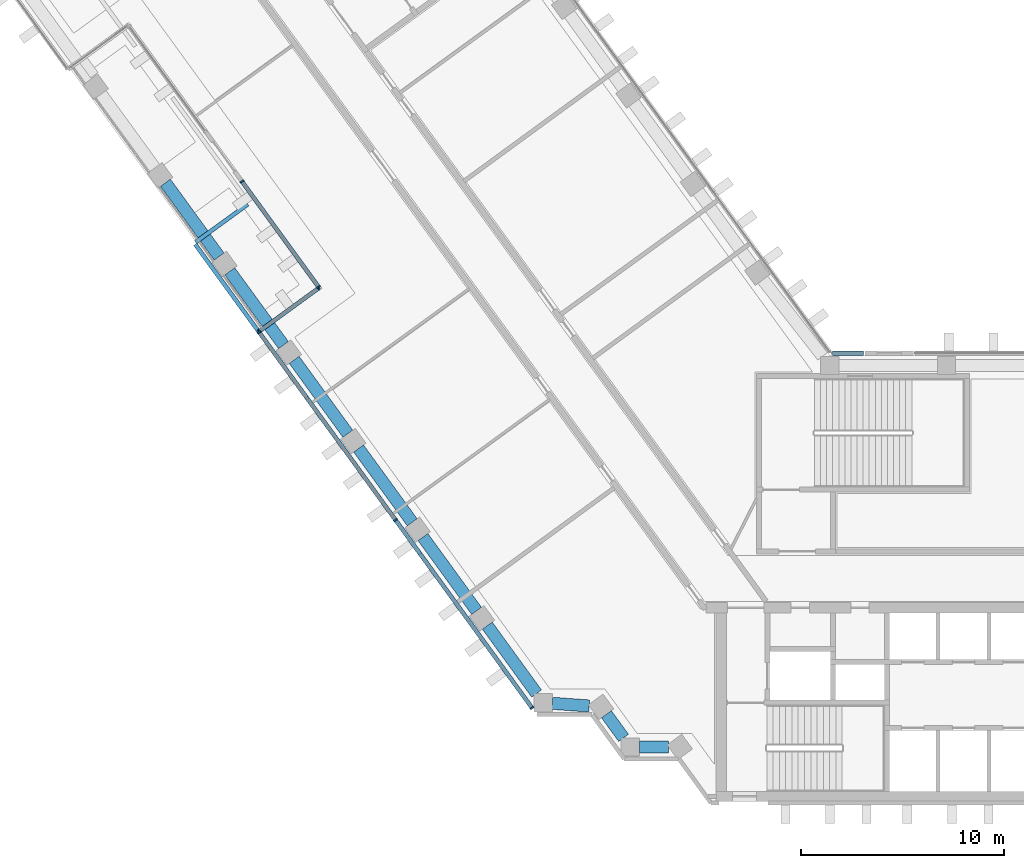
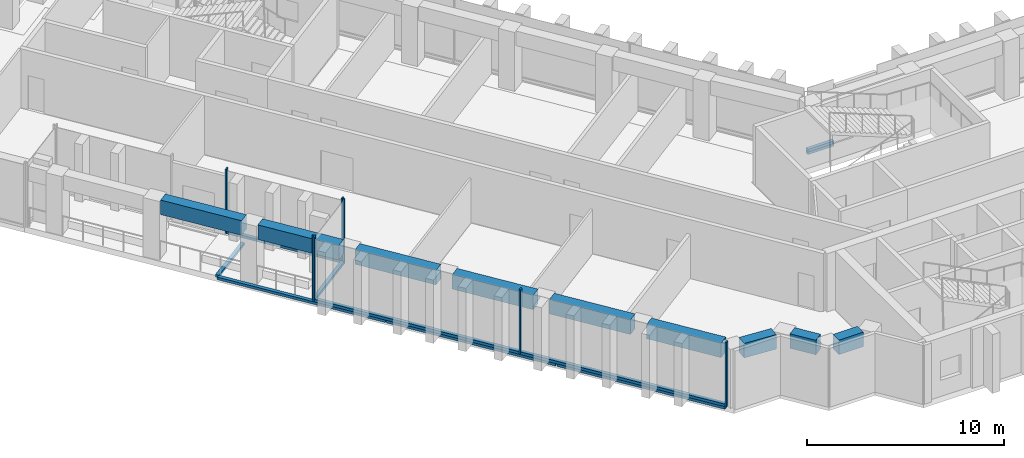
"""IFC4 building model written with IfcOpenShell, lengths in metres."""

import ifcopenshell
import ifcopenshell.guid

model = None  # the IFC model being written
_history = None  # IfcOwnerHistory: only IFC2X3 demands one
_inside = {}  # id of a spatial element -> (the spatial element, [elements in it])
_under = {}  # id of a project, library or spatial element -> (it, [spatial elements below it])
_declared = {}  # id of a project -> (the project, [libraries it declares])
_typed = {}  # id of a type object -> (the type object, [elements of that type])
_made_of = {}  # id of a material, layer set ... -> (it, [elements and type objects made of it])


def new_model(schema):
    """Start an empty IFC model of exactly this schema.

    Asked for "IFC4X3", IfcOpenShell would pick the latest addendum, in which some entities
    have other attributes; the version numbers below select the first issue.
    IFC2X3 requires an IfcOwnerHistory on every rooted entity: one is made here for all.
    """
    global model, _history
    if schema == "IFC4X3":
        model = ifcopenshell.file(schema_version=(4, 3, 0, 0))
    else:
        model = ifcopenshell.file(schema=schema)
    _inside.clear()
    _under.clear()
    _declared.clear()
    _typed.clear()
    _made_of.clear()
    _history = None
    if model.schema == "IFC2X3":
        org = make("IfcOrganization", Name="unknown")
        user = make(
            "IfcPersonAndOrganization",
            ThePerson=make("IfcPerson", FamilyName="unknown"),
            TheOrganization=org,
        )
        app = make(
            "IfcApplication",
            ApplicationDeveloper=org,
            Version="unknown",
            ApplicationFullName="unknown",
            ApplicationIdentifier="unknown",
        )
        _history = make(
            "IfcOwnerHistory",
            OwningUser=user,
            OwningApplication=app,
            ChangeAction="ADDED",
            CreationDate=0,
        )
    return model


def make(cls, **values):
    """One entity of the class cls with the attributes given. An attribute that is None is left unset."""
    return model.create_entity(
        cls, **{name: value for name, value in values.items() if value is not None}
    )


def rooted(cls, **values):
    """An entity with a GlobalId (a new one), such as an element, a storey or a relation."""
    return make(cls, GlobalId=ifcopenshell.guid.new(), OwnerHistory=_history, **values)


def si_unit(unit_type, name, prefix=None):
    """IfcSIUnit, for example si_unit("LENGTHUNIT", "METRE", prefix="MILLI")."""
    return make("IfcSIUnit", UnitType=unit_type, Prefix=prefix, Name=name)


def assignment(units):
    """IfcUnitAssignment: the units of a project."""
    return None if units is None else make("IfcUnitAssignment", Units=units)


def point(xyz):
    """IfcCartesianPoint."""
    return None if xyz is None else make("IfcCartesianPoint", Coordinates=xyz)


def direction(xyz):
    """IfcDirection."""
    return None if xyz is None else make("IfcDirection", DirectionRatios=xyz)


def frame(location, z_axis=None, x_axis=None):
    """IfcAxis2Placement3D, a coordinate frame: its origin and axes. An axis left out is left unset."""
    return make(
        "IfcAxis2Placement3D",
        Location=point(location),
        Axis=direction(z_axis),
        RefDirection=direction(x_axis),
    )


def frame_2d(location, x_axis=None):
    """IfcAxis2Placement2D, a coordinate frame in the plane: its origin and x axis."""
    return make(
        "IfcAxis2Placement2D", Location=point(location), RefDirection=direction(x_axis)
    )


def origin():
    """The frame at (0, 0, 0) with its axes left unset."""
    return frame((0.0, 0.0, 0.0))


def origin_2d():
    """The frame at (0, 0) in the plane with its x axis left unset."""
    return frame_2d((0.0, 0.0))


def place(relative_to, where):
    """IfcLocalPlacement: puts the frame where relative to a parent placement (None: the world)."""
    return make(
        "IfcLocalPlacement", PlacementRelTo=relative_to, RelativePlacement=where
    )


def context(
    kind, dimensions, precision=None, world=None, true_north=None, identifier=None
):
    """IfcGeometricRepresentationContext, for example the 3D "Model" context."""
    return make(
        "IfcGeometricRepresentationContext",
        ContextIdentifier=identifier,
        ContextType=kind,
        CoordinateSpaceDimension=dimensions,
        Precision=precision,
        WorldCoordinateSystem=world,
        TrueNorth=true_north,
    )


def subcontext(parent, identifier, kind, view, scale=None):
    """IfcGeometricRepresentationSubContext, for example "Body" below "Model"."""
    return make(
        "IfcGeometricRepresentationSubContext",
        ContextIdentifier=identifier,
        ContextType=kind,
        ParentContext=parent,
        TargetScale=scale,
        TargetView=view,
    )


def project(units=None, contexts=None):
    """IfcProject with its units and contexts."""
    return rooted(
        "IfcProject",
        Name="project",
        RepresentationContexts=contexts,
        UnitsInContext=assignment(units),
    )


def spatial(cls, under=None, at=None, **own):
    """A site, building, storey or space (cls), placed at a placement, below another one or the project."""
    s = rooted(cls, ObjectPlacement=at, **own)
    if under is not None:
        _under.setdefault(under.id(), (under, []))[1].append(s)
    return s


def profile(cls, at=None, kind="AREA", **sizes):
    """A parametric profile (cls). Its sizes go by their IFC names, for example OverallWidth=200.0."""
    return make(cls, ProfileType=kind, Position=at, **sizes)


def rectangle(**sizes):
    """IfcRectangleProfileDef."""
    return profile("IfcRectangleProfileDef", **sizes)


def extrude(swept, where, along, depth):
    """IfcExtrudedAreaSolid: the profile swept, set in the frame where, extruded along a direction by depth."""
    return make(
        "IfcExtrudedAreaSolid",
        SweptArea=swept,
        Position=where,
        ExtrudedDirection=direction(along),
        Depth=depth,
    )


def shape(context_of_items, identifier, shape_type, items):
    """IfcShapeRepresentation: the items that make up one representation, for example the "Body"."""
    return make(
        "IfcShapeRepresentation",
        ContextOfItems=context_of_items,
        RepresentationIdentifier=identifier,
        RepresentationType=shape_type,
        Items=items,
    )


def material(Name=None, Category=None):
    """IfcMaterial."""
    return make("IfcMaterial", Name=Name, Category=Category)


def material_profile(
    of_material, cross_section, Name=None, Category=None, Priority=None
):
    """IfcMaterialProfile: a cross section and its material."""
    return make(
        "IfcMaterialProfile",
        Name=Name,
        Material=of_material,
        Profile=cross_section,
        Priority=Priority,
        Category=Category,
    )


def profile_set(profiles, Name=None, composite=None):
    """IfcMaterialProfileSet."""
    return make(
        "IfcMaterialProfileSet",
        Name=Name,
        MaterialProfiles=profiles,
        CompositeProfile=composite,
    )


def made_of(thing, what):
    """Note that an element or type object is made of a material, layer set ...; save() writes the relation."""
    if what is not None:
        _made_of.setdefault(what.id(), (what, []))[1].append(thing)
    return thing


def type_object(cls, material=None, **own):
    """A type object (cls), such as IfcWallType, which elements share."""
    return made_of(rooted(cls, **own), material)


def element(
    cls,
    number,
    at=None,
    inside=None,
    cuts=None,
    type_object=None,
    material=None,
    context=None,
    identifier="Body",
    shape_type=None,
    held_by="IfcProductDefinitionShape",
    body=None,
    shapes=None,
    **own,
):
    """One element of the class cls, such as IfcWall. Its Tag is "e" and its number.

    at: its placement. inside: the storey or other place that contains it. cuts: it is an
    opening in that element (IfcRelVoidsElement). A single representation is given by context,
    identifier, shape_type and body (its items); several are given by shapes. held_by: the class
    of the entity that holds the representations. save() writes the other relations.
    """
    e = rooted(cls, Tag="e%d" % number, ObjectPlacement=at, **own)
    if body is not None:
        shapes = [shape(context, identifier, shape_type, body)]
    if shapes is not None:
        e.Representation = make(held_by, Representations=shapes)
    if inside is not None:
        _inside.setdefault(inside.id(), (inside, []))[1].append(e)
    if cuts is not None:
        rooted(
            "IfcRelVoidsElement", RelatingBuildingElement=cuts, RelatedOpeningElement=e
        )
    if type_object is not None:
        _typed.setdefault(type_object.id(), (type_object, []))[1].append(e)
    return made_of(e, material)


def aggregate(whole, parts):
    """IfcRelAggregates: a whole, such as a stair, and the parts it consists of."""
    return rooted("IfcRelAggregates", RelatingObject=whole, RelatedObjects=parts)


def save(model, path):
    """Write the relations noted so far, then the file.

    IfcRelAggregates (storeys below a building ...), IfcRelContainedInSpatialStructure (elements
    in a storey), IfcRelDefinesByType, IfcRelAssociatesMaterial and IfcRelDeclares: one each for
    every whole, place, type object, material and project.
    """
    for whole, parts in _under.values():
        aggregate(whole, parts)
    for where, things in _inside.values():
        rooted(
            "IfcRelContainedInSpatialStructure",
            RelatedElements=things,
            RelatingStructure=where,
        )
    for kind, things in _typed.values():
        rooted("IfcRelDefinesByType", RelatedObjects=things, RelatingType=kind)
    for what, things in _made_of.values():
        rooted("IfcRelAssociatesMaterial", RelatedObjects=things, RelatingMaterial=what)
    for by, libraries in _declared.values():
        rooted("IfcRelDeclares", RelatingContext=by, RelatedDefinitions=libraries)
    model.write(path)


model = new_model("IFC4")

# Units and contexts
model_context = context("Model", 3, precision=1e-05, world=origin(), true_north=direction((0.0, 1.0)))
body_context = subcontext(model_context, "Body", "Model", "MODEL_VIEW")
ifc_project = project(units=[si_unit("LENGTHUNIT", "METRE"), si_unit("AREAUNIT", "SQUARE_METRE"), si_unit("VOLUMEUNIT", "CUBIC_METRE"), si_unit("PLANEANGLEUNIT", "RADIAN"), si_unit("MASSUNIT", "GRAM", prefix="KILO")], contexts=[model_context])

# Site, building, storey
site_placement = place(None, origin())
site = spatial("IfcSite", under=ifc_project, at=site_placement, CompositionType="ELEMENT")
building_placement = place(site_placement, origin())
building = spatial("IfcBuilding", under=site, at=building_placement, Name="Quipu Civic Tower", CompositionType="ELEMENT")
storey_1_placement = place(building_placement, frame((0.0, 0.0, 43.0)))
storey_1 = spatial("IfcBuildingStorey", under=building, at=storey_1_placement, Name="L09", CompositionType="ELEMENT", Elevation=43.0)

# Curtain wall, members
ifc_material_1 = material(Name="Insulated glass unit", Category="glass")
curtain_wall_type = type_object("IfcCurtainWallType", Name="Office curtain wall CW1", PredefinedType="NOTDEFINED", material=ifc_material_1)
curtain_wall_1_placement = place(storey_1_placement, origin())
curtain_wall_1 = element("IfcCurtainWall", 1, at=curtain_wall_1_placement, inside=storey_1, type_object=curtain_wall_type, Name="Office curtain wall CW1 L09 run 5", PredefinedType="NOTDEFINED")
ifc_material_2 = material(Name="Anodised aluminium", Category="aluminium")
ifc_material_profile_1 = material_profile(ifc_material_2, rectangle(XDim=0.199951171875, YDim=0.080078125, at=origin_2d()), Name="RECT 200x80")
ifc_profile_set_1 = profile_set([ifc_material_profile_1], Name="Anodised aluminium")
member_type_1 = type_object("IfcMemberType", Name="Mullion CW1", PredefinedType="MULLION", material=ifc_profile_set_1)
member_1_placement = place(storey_1_placement, frame((-43.38427734375, 19.571533203125, 0.080078125), z_axis=(0.0, 0.0, 1.0), x_axis=(0.809014611129, 0.587788532535, 0.0)))
member_1 = element("IfcMember", 2, at=member_1_placement, type_object=member_type_1, Name="CW1 mullion 1", PredefinedType="MULLION", context=body_context, shape_type="SweptSolid", body=[
    extrude(rectangle(XDim=0.199951171875, YDim=0.080078125, at=origin_2d()), origin(), (0.0, 0.0, 1.0), 4.0),
])
member_2_placement = place(storey_1_placement, frame((-39.599609375, 14.362548828125, 0.080078125), z_axis=(0.0, 0.0, 1.0), x_axis=(0.809014611129, 0.587788532535, 0.0)))
member_2 = element("IfcMember", 3, at=member_2_placement, type_object=member_type_1, Name="CW1 mullion 2", PredefinedType="MULLION", context=body_context, shape_type="SweptSolid", body=[
    extrude(rectangle(XDim=0.199951171875, YDim=0.080078125, at=origin_2d()), origin(), (0.0, 0.0, 1.0), 4.0),
])

curtain_wall_2_placement = place(storey_1_placement, origin())
curtain_wall_2 = element("IfcCurtainWall", 4, at=curtain_wall_2_placement, inside=storey_1, type_object=curtain_wall_type, Name="Office curtain wall CW1 L09 run 6", PredefinedType="NOTDEFINED")
member_3_placement = place(storey_1_placement, frame((-39.6083984375, 14.306884765625, 0.080078125), z_axis=(0.0, 0.0, 1.0), x_axis=(0.587784451405, -0.809017576253, 0.0)))
member_3 = element("IfcMember", 5, at=member_3_placement, type_object=member_type_1, Name="CW1 mullion 1", PredefinedType="MULLION", context=body_context, shape_type="SweptSolid", body=[
    extrude(rectangle(XDim=0.199951171875, YDim=0.080078125, at=origin_2d()), origin(), (0.0, 0.0, 1.0), 4.0),
])
member_4_placement = place(storey_1_placement, frame((-42.525634765625, 12.1875, 0.080078125), z_axis=(0.0, 0.0, 1.0), x_axis=(0.587784451405, -0.809017576253, 0.0)))
member_4 = element("IfcMember", 6, at=member_4_placement, type_object=member_type_1, Name="CW1 mullion 2", PredefinedType="MULLION", context=body_context, shape_type="SweptSolid", body=[
    extrude(rectangle(XDim=0.199951171875, YDim=0.080078125, at=origin_2d()), origin(), (0.0, 0.0, 1.0), 4.0),
])

curtain_wall_3_placement = place(storey_1_placement, origin())
curtain_wall_3 = element("IfcCurtainWall", 7, at=curtain_wall_3_placement, inside=storey_1, type_object=curtain_wall_type, Name="Office curtain wall CW1 L09 run 7", PredefinedType="NOTDEFINED")
member_5_placement = place(storey_1_placement, frame((-42.534423828125, 12.131591796875, 0.080078125), z_axis=(0.0, 0.0, 1.0), x_axis=(0.809018367696, 0.587783362073, 0.0)))
member_5 = element("IfcMember", 8, at=member_5_placement, type_object=member_type_1, Name="CW1 mullion 1", PredefinedType="MULLION", context=body_context, shape_type="SweptSolid", body=[
    extrude(rectangle(XDim=0.199951171875, YDim=0.080078125, at=origin_2d()), origin(), (0.0, 0.0, 1.0), 4.0),
])
member_6_placement = place(storey_1_placement, frame((-35.806884765625, 2.871826171875, 0.080078125), z_axis=(0.0, 0.0, 1.0), x_axis=(0.809018367696, 0.587783362073, 0.0)))
member_6 = element("IfcMember", 9, at=member_6_placement, type_object=member_type_1, Name="CW1 mullion 2", PredefinedType="MULLION", context=body_context, shape_type="SweptSolid", body=[
    extrude(rectangle(XDim=0.199951171875, YDim=0.080078125, at=origin_2d()), origin(), (0.0, 0.0, 1.0), 4.0),
])
member_7_placement = place(storey_1_placement, frame((-29.079345703125, -6.3876953125, 0.080078125), z_axis=(0.0, 0.0, 1.0), x_axis=(0.809018367696, 0.587783362073, 0.0)))
member_7 = element("IfcMember", 10, at=member_7_placement, type_object=member_type_1, Name="CW1 mullion 3", PredefinedType="MULLION", context=body_context, shape_type="SweptSolid", body=[
    extrude(rectangle(XDim=0.199951171875, YDim=0.080078125, at=origin_2d()), origin(), (0.0, 0.0, 1.0), 4.0),
])

# Beams
ifc_material_3 = material(Name="Concrete C50/60", Category="concrete")
ifc_material_profile_2 = material_profile(ifc_material_3, rectangle(XDim=0.60009765625, YDim=0.89990234375, at=origin_2d()), Name="RC600x900")
ifc_profile_set_2 = profile_set([ifc_material_profile_2], Name="Concrete C50/60")
beam_type = type_object("IfcBeamType", Name="Spandrel beam RC 600x900 C50/60", PredefinedType="SPANDREL", material=ifc_profile_set_2)
beam_1_placement = place(storey_1_placement, frame((-47.15380859375, 19.5107421875, 3.199951171875), z_axis=(0.587803872688, -0.809003465539, 0.0), x_axis=(0.809003465539, 0.587803872688, 0.0)))
element("IfcBeam", 11, at=beam_1_placement, inside=storey_1, type_object=beam_type, Name="Spandrel beam L09 W-OUT-06 to W-OUT-05", PredefinedType="SPANDREL", context=body_context, shape_type="SweptSolid", body=[
    extrude(rectangle(XDim=0.60009765625, YDim=0.89990234375, at=origin_2d()), origin(), (0.0, 0.0, 1.0), 4.499755859375),
])
for number, where, z_axis, x_axis, name in (
    (12, (-43.97998046875, 15.14208984375, 3.199951171875), (0.587778073121, -0.809022210299, 0.0), (0.809022210299, 0.587778073121, 0.0), "Spandrel beam L09 W-OUT-05 to W-OUT-04"),
    (13, (-40.805908203125, 10.7734375, 3.199951171875), (0.587778073121, -0.809022210299, 0.0), (0.809022210299, 0.587778073121, 0.0), "Spandrel beam L09 W-OUT-04 to W-OUT-03"),
):
    element("IfcBeam", number, at=place(storey_1_placement, frame(where, z_axis=z_axis, x_axis=x_axis)), inside=storey_1, type_object=beam_type, Name=name, PredefinedType="SPANDREL", context=body_context, shape_type="SweptSolid", body=[
        extrude(rectangle(XDim=0.60009765625, YDim=0.89990234375, at=origin_2d()), origin(), (0.0, 0.0, 1.0), 4.5),
    ])
beam_2_placement = place(storey_1_placement, frame((-37.6318359375, 6.404541015625, 3.199951171875), z_axis=(0.587803872688, -0.809003465539, 0.0), x_axis=(0.809003465539, 0.587803872688, 0.0)))
element("IfcBeam", 14, at=beam_2_placement, inside=storey_1, type_object=beam_type, Name="Spandrel beam L09 W-OUT-03 to W-OUT-02", PredefinedType="SPANDREL", context=body_context, shape_type="SweptSolid", body=[
    extrude(rectangle(XDim=0.60009765625, YDim=0.89990234375, at=origin_2d()), origin(), (0.0, 0.0, 1.0), 4.499755859375),
])
beam_3_placement = place(storey_1_placement, frame((-34.457763671875, 2.035888671875, 3.199951171875), z_axis=(0.587778073121, -0.809022210299, 0.0), x_axis=(0.809022210299, 0.587778073121, 0.0)))
element("IfcBeam", 15, at=beam_3_placement, inside=storey_1, type_object=beam_type, Name="Spandrel beam L09 W-OUT-02 to W-OUT-01", PredefinedType="SPANDREL", context=body_context, shape_type="SweptSolid", body=[
    extrude(rectangle(XDim=0.60009765625, YDim=0.89990234375, at=origin_2d()), origin(), (0.0, 0.0, 1.0), 4.5),
])
beam_4_placement = place(storey_1_placement, frame((-31.28369140625, -2.332763671875, 3.199951171875), z_axis=(0.587750565781, -0.809042194464, 0.0), x_axis=(0.809042194464, 0.587750565781, 0.0)))
element("IfcBeam", 16, at=beam_4_placement, inside=storey_1, type_object=beam_type, Name="Spandrel beam L09 W-OUT-01 to J-Wo.0", PredefinedType="SPANDREL", context=body_context, shape_type="SweptSolid", body=[
    extrude(rectangle(XDim=0.60009765625, YDim=0.89990234375, at=origin_2d()), origin(), (0.0, 0.0, 1.0), 4.13720703125),
])
beam_5_placement = place(storey_1_placement, frame((-28.074951171875, -6.16259765625, 3.199951171875), z_axis=(0.997367229877, -0.072516265536, 0.0), x_axis=(0.072516265536, 0.997367229877, 0.0)))
element("IfcBeam", 17, at=beam_5_placement, inside=storey_1, type_object=beam_type, Name="Spandrel beam L09 J-Wo.0 to J-Wo.1", PredefinedType="SPANDREL", context=body_context, shape_type="SweptSolid", body=[
    extrude(rectangle(XDim=0.60009765625, YDim=0.89990234375, at=origin_2d()), origin(), (0.0, 0.0, 1.0), 1.818115234375),
])
beam_6_placement = place(storey_1_placement, frame((-25.40966796875, -6.700927734375, 3.199951171875), z_axis=(0.588433824377, -0.808545381738, 0.0), x_axis=(0.808545381738, 0.588433824377, 0.0)))
element("IfcBeam", 18, at=beam_6_placement, inside=storey_1, type_object=beam_type, Name="Spandrel beam L09 J-Wo.1 to J-Wo.2", PredefinedType="SPANDREL", context=body_context, shape_type="SweptSolid", body=[
    extrude(rectangle(XDim=0.60009765625, YDim=0.89990234375, at=origin_2d()), origin(), (0.0, 0.0, 1.0), 1.439697265625),
])
beam_7_placement = place(storey_1_placement, frame((-23.784912109375, -8.31494140625, 3.199951171875), z_axis=(1.0, 0.0, 0.0), x_axis=(0.0, 1.0, 0.0)))
element("IfcBeam", 19, at=beam_7_placement, inside=storey_1, type_object=beam_type, Name="Spandrel beam L09 J-Wo.2 to J-Wo.3", PredefinedType="SPANDREL", context=body_context, shape_type="SweptSolid", body=[
    extrude(rectangle(XDim=0.60009765625, YDim=0.89990234375, at=origin_2d()), origin(), (0.0, 0.0, 1.0), 1.436767578125),
])

# Storey
storey_2_placement = place(building_placement, frame((0.0, 0.0, 35.0)))
storey_2 = spatial("IfcBuildingStorey", under=building, at=storey_2_placement, Name="L07", CompositionType="ELEMENT", Elevation=35.0)

# Curtain wall, member
curtain_wall_4_placement = place(storey_2_placement, origin())
curtain_wall_4 = element("IfcCurtainWall", 20, at=curtain_wall_4_placement, inside=storey_2, type_object=curtain_wall_type, Name="Office curtain wall CW1 L06 run 31", PredefinedType="NOTDEFINED")
ifc_material_4 = material(Name="Anodised aluminium", Category="aluminium")
ifc_material_profile_3 = material_profile(ifc_material_4, rectangle(XDim=0.199951171875, YDim=0.159912109375, at=origin_2d()), Name="RECT 200x160")
ifc_profile_set_3 = profile_set([ifc_material_profile_3], Name="Anodised aluminium")
member_type_2 = type_object("IfcMemberType", Name="Transom CW1", PredefinedType="USERDEFINED", material=ifc_profile_set_3)
member_8_placement = place(storey_1_placement, frame((-12.735107421875, 11.10009765625, 0.0), z_axis=(-1.0, 0.0, 0.0), x_axis=(0.0, -1.0, 0.0)))
member_8 = element("IfcMember", 21, at=member_8_placement, inside=storey_1, type_object=member_type_2, Name="CW1 transom 1.4", ObjectType="TRANSOM", PredefinedType="USERDEFINED", context=body_context, shape_type="SweptSolid", body=[
    extrude(rectangle(XDim=0.199951171875, YDim=0.159912109375, at=origin_2d()), origin(), (0.0, 0.0, 1.0), 1.529052734375),
])
aggregate(curtain_wall_4, [member_8])

# Storey
storey_3_placement = place(building_placement, frame((0.0, 0.0, 39.0)))
storey_3 = spatial("IfcBuildingStorey", under=building, at=storey_3_placement, Name="L08", CompositionType="ELEMENT", Elevation=39.0)

# Curtain wall, member
curtain_wall_5_placement = place(storey_3_placement, origin())
curtain_wall_5 = element("IfcCurtainWall", 22, at=curtain_wall_5_placement, inside=storey_3, type_object=curtain_wall_type, Name="Office curtain wall CW1 L08 run 5", PredefinedType="NOTDEFINED")
member_9_placement = place(storey_1_placement, frame((-43.09228515625, 18.450439453125, 0.0), z_axis=(-0.809011305713, -0.587793081984, 0.0), x_axis=(0.587793081984, -0.809011305713, 0.0)))
member_9 = element("IfcMember", 23, at=member_9_placement, inside=storey_1, type_object=member_type_2, Name="CW1 transom 1.2", ObjectType="TRANSOM", PredefinedType="USERDEFINED", context=body_context, shape_type="SweptSolid", body=[
    extrude(rectangle(XDim=0.199951171875, YDim=0.159912109375, at=origin_2d()), origin(), (0.0, 0.0, 1.0), 3.182861328125),
])
aggregate(curtain_wall_5, [member_9])

# Curtain wall, members
curtain_wall_6_placement = place(storey_3_placement, origin())
curtain_wall_6 = element("IfcCurtainWall", 24, at=curtain_wall_6_placement, inside=storey_3, type_object=curtain_wall_type, Name="Office curtain wall CW1 L08 run 6", PredefinedType="NOTDEFINED")
member_10_placement = place(storey_1_placement, frame((-45.68505859375, 16.4677734375, 0.0), z_axis=(0.587798501466, -0.809007368121, 0.0), x_axis=(0.809007368121, 0.587798501466, 0.0)))
member_10 = element("IfcMember", 25, at=member_10_placement, inside=storey_1, type_object=member_type_2, Name="CW1 transom 1.2", ObjectType="TRANSOM", PredefinedType="USERDEFINED", context=body_context, shape_type="SweptSolid", body=[
    extrude(rectangle(XDim=0.199951171875, YDim=0.159912109375, at=origin_2d()), origin(), (0.0, 0.0, 1.0), 9.3369140625),
])
member_11_placement = place(storey_1_placement, frame((-40.14990234375, 8.849365234375, 0.0), z_axis=(0.587787706623, -0.809015211194, 0.0), x_axis=(0.809015211194, 0.587787706623, 0.0)))
member_11 = element("IfcMember", 26, at=member_11_placement, inside=storey_1, type_object=member_type_2, Name="CW1 transom 2.2", ObjectType="TRANSOM", PredefinedType="USERDEFINED", context=body_context, shape_type="SweptSolid", body=[
    extrude(rectangle(XDim=0.199951171875, YDim=0.159912109375, at=origin_2d()), origin(), (0.0, 0.0, 1.0), 9.376953125),
])
member_12_placement = place(storey_1_placement, frame((-34.591064453125, 1.198486328125, 0.0), z_axis=(0.587768953748, -0.80902883571, 0.0), x_axis=(0.80902883571, 0.587768953748, 0.0)))
member_12 = element("IfcMember", 27, at=member_12_placement, inside=storey_1, type_object=member_type_2, Name="CW1 transom 3.2", ObjectType="TRANSOM", PredefinedType="USERDEFINED", context=body_context, shape_type="SweptSolid", body=[
    extrude(rectangle(XDim=0.199951171875, YDim=0.159912109375, at=origin_2d()), origin(), (0.0, 0.0, 1.0), 9.337158203125),
])
aggregate(curtain_wall_6, [member_10, member_11, member_12])

# Member
member_13_placement = place(storey_1_placement, frame((-43.360595703125, 19.539306640625, 0.159912109375), z_axis=(0.587785815007, -0.809016585539, 0.0), x_axis=(0.809016585539, 0.587785815007, 0.0)))
member_13 = element("IfcMember", 28, at=member_13_placement, type_object=member_type_2, Name="CW1 transom 1.1", ObjectType="TRANSOM", PredefinedType="USERDEFINED", context=body_context, shape_type="SweptSolid", body=[
    extrude(rectangle(XDim=0.199951171875, YDim=0.159912109375, at=origin_2d()), origin(), (0.0, 0.0, 1.0), 6.358642578125),
])

aggregate(curtain_wall_1, [member_1, member_2, member_13])

member_14_placement = place(storey_1_placement, frame((-39.640869140625, 14.283203125, 0.159912109375), z_axis=(-0.809023460157, -0.587776352804, 0.0), x_axis=(0.587776352804, -0.809023460157, 0.0)))
member_14 = element("IfcMember", 29, at=member_14_placement, type_object=member_type_2, Name="CW1 transom 1.1", ObjectType="TRANSOM", PredefinedType="USERDEFINED", context=body_context, shape_type="SweptSolid", body=[
    extrude(rectangle(XDim=0.199951171875, YDim=0.159912109375, at=origin_2d()), origin(), (0.0, 0.0, 1.0), 3.525634765625),
])

aggregate(curtain_wall_2, [member_3, member_4, member_14])

member_15_placement = place(storey_1_placement, frame((-42.510986328125, 12.09912109375, 0.159912109375), z_axis=(0.587798683224, -0.809007236062, 0.0), x_axis=(0.809007236062, 0.587798683224, 0.0)))
member_15 = element("IfcMember", 30, at=member_15_placement, type_object=member_type_2, Name="CW1 transom 1.1", ObjectType="TRANSOM", PredefinedType="USERDEFINED", context=body_context, shape_type="SweptSolid", body=[
    extrude(rectangle(XDim=0.199951171875, YDim=0.159912109375, at=origin_2d()), origin(), (0.0, 0.0, 1.0), 11.365478515625),
])

member_16_placement = place(storey_1_placement, frame((-35.783447265625, 2.839599609375, 0.159912109375), z_axis=(0.58777440929, -0.809024872166, 0.0), x_axis=(0.809024872166, 0.58777440929, 0.0)))
member_16 = element("IfcMember", 31, at=member_16_placement, type_object=member_type_2, Name="CW1 transom 2.1", ObjectType="TRANSOM", PredefinedType="USERDEFINED", context=body_context, shape_type="SweptSolid", body=[
    extrude(rectangle(XDim=0.199951171875, YDim=0.159912109375, at=origin_2d()), origin(), (0.0, 0.0, 1.0), 11.36572265625),
])

aggregate(curtain_wall_3, [member_5, member_6, member_7, member_15, member_16])

# Storey
storey_4_placement = place(building_placement, frame((0.0, 0.0, 47.0)))
storey_4 = spatial("IfcBuildingStorey", under=building, at=storey_4_placement, Name="L10", CompositionType="ELEMENT", Elevation=47.0)

# Curtain wall, member
curtain_wall_7_placement = place(storey_4_placement, origin())
curtain_wall_7 = element("IfcCurtainWall", 32, at=curtain_wall_7_placement, inside=storey_4, type_object=curtain_wall_type, Name="Office curtain wall CW1 L09 run 34", PredefinedType="NOTDEFINED")
member_17_placement = place(storey_1_placement, frame((-12.735107421875, 11.10009765625, 0.159912109375), z_axis=(-1.0, 0.0, 0.0), x_axis=(0.0, -1.0, 0.0)))
member_17 = element("IfcMember", 33, at=member_17_placement, inside=storey_1, type_object=member_type_2, Name="CW1 transom 1.1", ObjectType="TRANSOM", PredefinedType="USERDEFINED", context=body_context, shape_type="SweptSolid", body=[
    extrude(rectangle(XDim=0.199951171875, YDim=0.159912109375, at=origin_2d()), origin(), (0.0, 0.0, 1.0), 1.529052734375),
])
aggregate(curtain_wall_7, [member_17])

save(model, "model.ifc")
